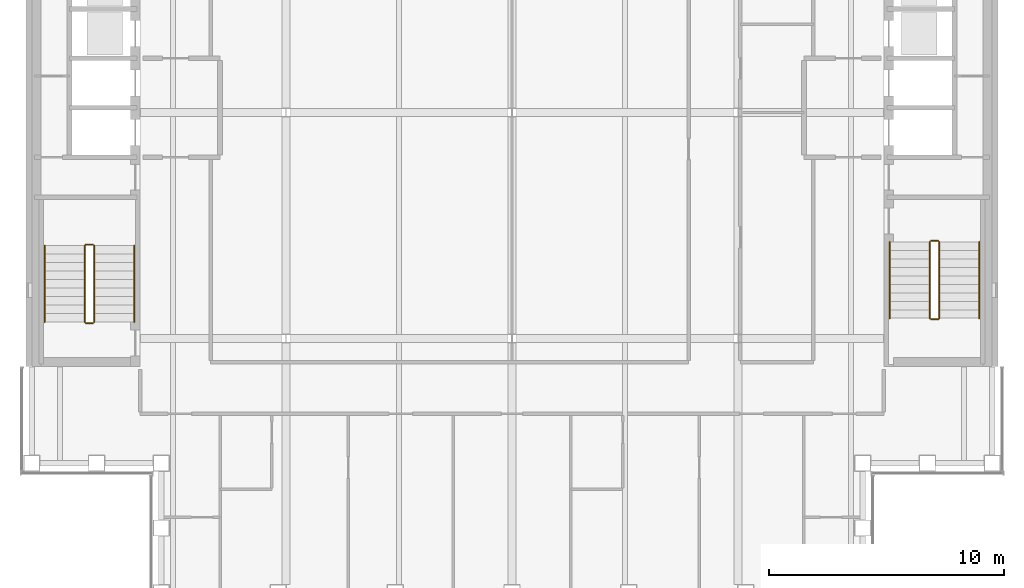
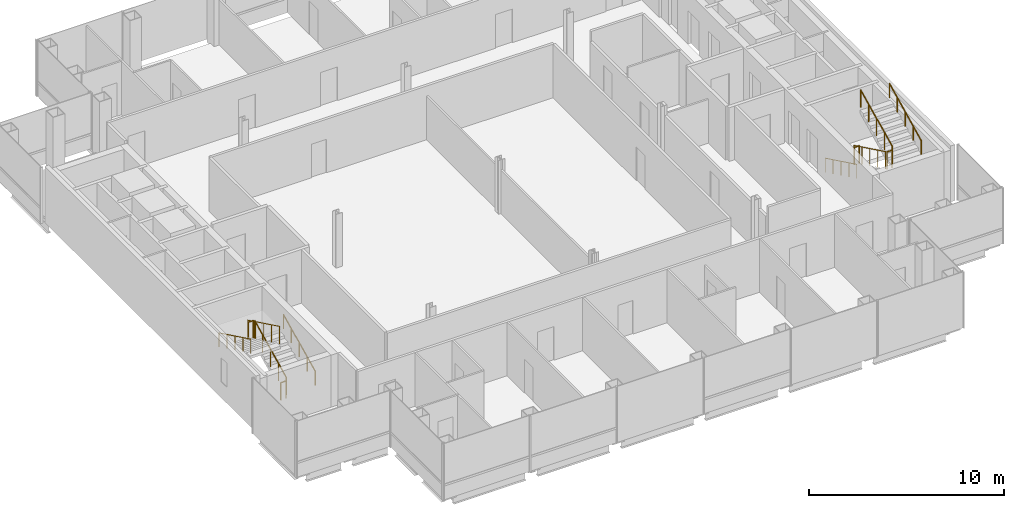
# One storey, part 14 of 15: 12 railings.
"""IFC4 building model written with IfcOpenShell, lengths in metres."""

from ifc_helpers import new_model, si_unit, direction, frame, origin, origin_2d, place, context, subcontext, project, spatial, circle, extrude, material, type_object, element, save


model = new_model("IFC4")

# Units and contexts
model_context = context("Model", 3, precision=1e-05, world=origin(), true_north=direction((0.0, 1.0)))
body_context = subcontext(model_context, "Body", "Model", "MODEL_VIEW")
ifc_project = project(units=[si_unit("LENGTHUNIT", "METRE"), si_unit("AREAUNIT", "SQUARE_METRE"), si_unit("VOLUMEUNIT", "CUBIC_METRE"), si_unit("PLANEANGLEUNIT", "RADIAN"), si_unit("MASSUNIT", "GRAM", prefix="KILO")], contexts=[model_context])

# Site, building, storey
site_placement = place(None, origin())
site = spatial("IfcSite", under=ifc_project, at=site_placement, CompositionType="ELEMENT")
building_placement = place(site_placement, origin())
building = spatial("IfcBuilding", under=site, at=building_placement, Name="Cobrizo Arcos Hotel Tower", CompositionType="ELEMENT")
storey_placement = place(building_placement, frame((0.0, 0.0, 194.5)))
storey = spatial("IfcBuildingStorey", under=building, at=storey_placement, Name="L50", CompositionType="ELEMENT", Elevation=194.5)

# Railings
ifc_material = material(Name="Stainless steel railing", Category="steel")
railing_type_1 = type_object("IfcRailingType", Name="Stair guard 1100", PredefinedType="GUARDRAIL", material=ifc_material)
railing_1_placement = place(storey_placement, frame((-17.75, -8.89990234375, 0.175048828125)))
element("IfcRailing", 1, at=railing_1_placement, inside=storey, type_object=railing_type_1, Name="L50 ST-W stair guard 1", PredefinedType="GUARDRAIL", context=body_context, shape_type="SweptSolid", body=[
    extrude(circle(Radius=0.02392578125, at=origin_2d()), frame((0.0, 0.0, 1.076171875), z_axis=(0.0, 0.899372665325, 0.437182809435), x_axis=(-1.0, 0.0, 0.0)), (0.0, 0.0, 1.0), 3.6025390625),
    extrude(circle(Radius=0.02099609375, at=origin_2d()), origin(), (0.0, 0.0, 1.0), 1.052001953125),
    extrude(circle(Radius=0.02099609375, at=origin_2d()), frame((0.0, 0.81005859375, 0.393798828125)), (0.0, 0.0, 1.0), 1.052001953125),
    extrude(circle(Radius=0.02099609375, at=origin_2d()), frame((0.0, 1.6201171875, 0.78759765625)), (0.0, 0.0, 1.0), 1.052001953125),
    extrude(circle(Radius=0.02099609375, at=origin_2d()), frame((0.0, 2.429931640625, 1.18115234375)), (0.0, 0.0, 1.0), 1.052001953125),
    extrude(circle(Radius=0.02099609375, at=origin_2d()), frame((0.0, 3.239990234375, 1.574951171875)), (0.0, 0.0, 1.0), 1.052001953125),
])
railing_2_placement = place(storey_placement, frame((-17.800048828125, -5.610107421875, 1.75)))
element("IfcRailing", 2, at=railing_2_placement, inside=storey, type_object=railing_type_1, Name="L50 ST-W stair guard 2", PredefinedType="GUARDRAIL", context=body_context, shape_type="SweptSolid", body=[
    extrude(circle(Radius=0.02392578125, at=origin_2d()), frame((0.0, 0.0, 1.076171875), z_axis=(-1.0, 0.0, 0.0), x_axis=(0.0, -1.0, 0.0)), (0.0, 0.0, 1.0), 0.300048828125),
    extrude(circle(Radius=0.02099609375, at=origin_2d()), origin(), (0.0, 0.0, 1.0), 1.052001953125),
    extrude(circle(Radius=0.02099609375, at=origin_2d()), frame((-0.300048828125, 0.0, 0.0)), (0.0, 0.0, 1.0), 1.052001953125),
])
railing_3_placement = place(storey_placement, frame((-18.14990234375, -5.659912109375, 1.925048828125)))
element("IfcRailing", 3, at=railing_3_placement, inside=storey, type_object=railing_type_1, Name="L50 ST-W stair guard 3", PredefinedType="GUARDRAIL", context=body_context, shape_type="SweptSolid", body=[
    extrude(circle(Radius=0.02392578125, at=origin_2d()), frame((0.0, 0.0, 1.076171875), z_axis=(0.0, -0.899372665325, 0.437182809435), x_axis=(1.0, 0.0, 0.0)), (0.0, 0.0, 1.0), 3.6025390625),
    extrude(circle(Radius=0.02099609375, at=origin_2d()), origin(), (0.0, 0.0, 1.0), 1.052001953125),
    extrude(circle(Radius=0.02099609375, at=origin_2d()), frame((0.0, -0.81005859375, 0.393798828125)), (0.0, 0.0, 1.0), 1.052001953125),
    extrude(circle(Radius=0.02099609375, at=origin_2d()), frame((0.0, -1.6201171875, 0.78759765625)), (0.0, 0.0, 1.0), 1.052001953125),
    extrude(circle(Radius=0.02099609375, at=origin_2d()), frame((0.0, -2.429931640625, 1.18115234375)), (0.0, 0.0, 1.0), 1.052001953125),
    extrude(circle(Radius=0.02099609375, at=origin_2d()), frame((0.0, -3.239990234375, 1.574951171875)), (0.0, 0.0, 1.0), 1.052001953125),
])
railing_4_placement = place(storey_placement, frame((-17.800048828125, -8.949951171875, 0.0)))
element("IfcRailing", 4, at=railing_4_placement, inside=storey, type_object=railing_type_1, Name="L50 ST-W stair guard 4", PredefinedType="GUARDRAIL", context=body_context, shape_type="SweptSolid", body=[
    extrude(circle(Radius=0.02392578125, at=origin_2d()), frame((0.0, 0.0, 1.076171875), z_axis=(-1.0, 0.0, 0.0), x_axis=(0.0, -1.0, 0.0)), (0.0, 0.0, 1.0), 0.300048828125),
    extrude(circle(Radius=0.02099609375, at=origin_2d()), origin(), (0.0, 0.0, 1.0), 1.052001953125),
    extrude(circle(Radius=0.02099609375, at=origin_2d()), frame((-0.300048828125, 0.0, 0.0)), (0.0, 0.0, 1.0), 1.052001953125),
])
railing_5_placement = place(storey_placement, frame((17.75, -5.5, 0.175048828125)))
element("IfcRailing", 5, at=railing_5_placement, inside=storey, type_object=railing_type_1, Name="L50 ST-E stair guard 1", PredefinedType="GUARDRAIL", context=body_context, shape_type="SweptSolid", body=[
    extrude(circle(Radius=0.02392578125, at=origin_2d()), frame((0.0, 0.0, 1.076171875), z_axis=(0.0, -0.899372665325, 0.437182809435), x_axis=(1.0, 0.0, 0.0)), (0.0, 0.0, 1.0), 3.6025390625),
    extrude(circle(Radius=0.02099609375, at=origin_2d()), origin(), (0.0, 0.0, 1.0), 1.052001953125),
    extrude(circle(Radius=0.02099609375, at=origin_2d()), frame((0.0, -0.81005859375, 0.393798828125)), (0.0, 0.0, 1.0), 1.052001953125),
    extrude(circle(Radius=0.02099609375, at=origin_2d()), frame((0.0, -1.6201171875, 0.78759765625)), (0.0, 0.0, 1.0), 1.052001953125),
    extrude(circle(Radius=0.02099609375, at=origin_2d()), frame((0.0, -2.429931640625, 1.18115234375)), (0.0, 0.0, 1.0), 1.052001953125),
    extrude(circle(Radius=0.02099609375, at=origin_2d()), frame((0.0, -3.239990234375, 1.574951171875)), (0.0, 0.0, 1.0), 1.052001953125),
])
railing_6_placement = place(storey_placement, frame((17.800048828125, -8.7900390625, 1.75)))
element("IfcRailing", 6, at=railing_6_placement, inside=storey, type_object=railing_type_1, Name="L50 ST-E stair guard 2", PredefinedType="GUARDRAIL", context=body_context, shape_type="SweptSolid", body=[
    extrude(circle(Radius=0.02392578125, at=origin_2d()), frame((0.0, 0.0, 1.076171875), z_axis=(1.0, 0.0, 0.0), x_axis=(0.0, 1.0, 0.0)), (0.0, 0.0, 1.0), 0.300048828125),
    extrude(circle(Radius=0.02099609375, at=origin_2d()), origin(), (0.0, 0.0, 1.0), 1.052001953125),
    extrude(circle(Radius=0.02099609375, at=origin_2d()), frame((0.300048828125, 0.0, 0.0)), (0.0, 0.0, 1.0), 1.052001953125),
])
railing_7_placement = place(storey_placement, frame((18.14990234375, -8.739990234375, 1.925048828125)))
element("IfcRailing", 7, at=railing_7_placement, inside=storey, type_object=railing_type_1, Name="L50 ST-E stair guard 3", PredefinedType="GUARDRAIL", context=body_context, shape_type="SweptSolid", body=[
    extrude(circle(Radius=0.02392578125, at=origin_2d()), frame((0.0, 0.0, 1.076171875), z_axis=(0.0, 0.899372665325, 0.437182809435), x_axis=(-1.0, 0.0, 0.0)), (0.0, 0.0, 1.0), 3.6025390625),
    extrude(circle(Radius=0.02099609375, at=origin_2d()), origin(), (0.0, 0.0, 1.0), 1.052001953125),
    extrude(circle(Radius=0.02099609375, at=origin_2d()), frame((0.0, 0.81005859375, 0.393798828125)), (0.0, 0.0, 1.0), 1.052001953125),
    extrude(circle(Radius=0.02099609375, at=origin_2d()), frame((0.0, 1.6201171875, 0.78759765625)), (0.0, 0.0, 1.0), 1.052001953125),
    extrude(circle(Radius=0.02099609375, at=origin_2d()), frame((0.0, 2.429931640625, 1.18115234375)), (0.0, 0.0, 1.0), 1.052001953125),
    extrude(circle(Radius=0.02099609375, at=origin_2d()), frame((0.0, 3.239990234375, 1.574951171875)), (0.0, 0.0, 1.0), 1.052001953125),
])
railing_8_placement = place(storey_placement, frame((17.800048828125, -5.449951171875, 0.0)))
element("IfcRailing", 8, at=railing_8_placement, inside=storey, type_object=railing_type_1, Name="L50 ST-E stair guard 4", PredefinedType="GUARDRAIL", context=body_context, shape_type="SweptSolid", body=[
    extrude(circle(Radius=0.02392578125, at=origin_2d()), frame((0.0, 0.0, 1.076171875), z_axis=(1.0, 0.0, 0.0), x_axis=(0.0, 1.0, 0.0)), (0.0, 0.0, 1.0), 0.300048828125),
    extrude(circle(Radius=0.02099609375, at=origin_2d()), origin(), (0.0, 0.0, 1.0), 1.052001953125),
    extrude(circle(Radius=0.02099609375, at=origin_2d()), frame((0.300048828125, 0.0, 0.0)), (0.0, 0.0, 1.0), 1.052001953125),
])
railing_type_2 = type_object("IfcRailingType", Name="Stair handrail", PredefinedType="HANDRAIL", material=ifc_material)
railing_9_placement = place(storey_placement, frame((-16.050048828125, -8.89990234375, 0.175048828125)))
element("IfcRailing", 9, at=railing_9_placement, inside=storey, type_object=railing_type_2, Name="L50 ST-W stair handrail 1", PredefinedType="HANDRAIL", context=body_context, shape_type="SweptSolid", body=[
    extrude(circle(Radius=0.02392578125, at=origin_2d()), frame((0.0, 0.0, 0.8759765625), z_axis=(0.0, 0.899372665325, 0.437182809435), x_axis=(-1.0, 0.0, 0.0)), (0.0, 0.0, 1.0), 3.6025390625),
    extrude(circle(Radius=0.02099609375, at=origin_2d()), origin(), (0.0, 0.0, 1.0), 0.851806640625),
    extrude(circle(Radius=0.02099609375, at=origin_2d()), frame((0.0, 0.81005859375, 0.393798828125)), (0.0, 0.0, 1.0), 0.851806640625),
    extrude(circle(Radius=0.02099609375, at=origin_2d()), frame((0.0, 1.6201171875, 0.78759765625)), (0.0, 0.0, 1.0), 0.851806640625),
    extrude(circle(Radius=0.02099609375, at=origin_2d()), frame((0.0, 2.429931640625, 1.18115234375)), (0.0, 0.0, 1.0), 0.851806640625),
    extrude(circle(Radius=0.02099609375, at=origin_2d()), frame((0.0, 3.239990234375, 1.574951171875)), (0.0, 0.0, 1.0), 0.851806640625),
])
for number, where, name in (
    (10, (-19.85009765625, -5.659912109375, 1.925048828125), "L50 ST-W stair handrail 2"),
    (11, (16.050048828125, -5.5, 0.175048828125), "L50 ST-E stair handrail 1"),
):
    element("IfcRailing", number, at=place(storey_placement, frame(where)), inside=storey, type_object=railing_type_2, Name=name, PredefinedType="HANDRAIL", context=body_context, shape_type="SweptSolid", body=[
        extrude(circle(Radius=0.02392578125, at=origin_2d()), frame((0.0, 0.0, 0.8759765625), z_axis=(0.0, -0.899372665325, 0.437182809435), x_axis=(1.0, 0.0, 0.0)), (0.0, 0.0, 1.0), 3.6025390625),
        extrude(circle(Radius=0.02099609375, at=origin_2d()), origin(), (0.0, 0.0, 1.0), 0.851806640625),
        extrude(circle(Radius=0.02099609375, at=origin_2d()), frame((0.0, -0.81005859375, 0.393798828125)), (0.0, 0.0, 1.0), 0.851806640625),
        extrude(circle(Radius=0.02099609375, at=origin_2d()), frame((0.0, -1.6201171875, 0.78759765625)), (0.0, 0.0, 1.0), 0.851806640625),
        extrude(circle(Radius=0.02099609375, at=origin_2d()), frame((0.0, -2.429931640625, 1.18115234375)), (0.0, 0.0, 1.0), 0.851806640625),
        extrude(circle(Radius=0.02099609375, at=origin_2d()), frame((0.0, -3.239990234375, 1.574951171875)), (0.0, 0.0, 1.0), 0.851806640625),
    ])
railing_10_placement = place(storey_placement, frame((19.85009765625, -8.739990234375, 1.925048828125)))
element("IfcRailing", 12, at=railing_10_placement, inside=storey, type_object=railing_type_2, Name="L50 ST-E stair handrail 2", PredefinedType="HANDRAIL", context=body_context, shape_type="SweptSolid", body=[
    extrude(circle(Radius=0.02392578125, at=origin_2d()), frame((0.0, 0.0, 0.8759765625), z_axis=(0.0, 0.899372665325, 0.437182809435), x_axis=(-1.0, 0.0, 0.0)), (0.0, 0.0, 1.0), 3.6025390625),
    extrude(circle(Radius=0.02099609375, at=origin_2d()), origin(), (0.0, 0.0, 1.0), 0.851806640625),
    extrude(circle(Radius=0.02099609375, at=origin_2d()), frame((0.0, 0.81005859375, 0.393798828125)), (0.0, 0.0, 1.0), 0.851806640625),
    extrude(circle(Radius=0.02099609375, at=origin_2d()), frame((0.0, 1.6201171875, 0.78759765625)), (0.0, 0.0, 1.0), 0.851806640625),
    extrude(circle(Radius=0.02099609375, at=origin_2d()), frame((0.0, 2.429931640625, 1.18115234375)), (0.0, 0.0, 1.0), 0.851806640625),
    extrude(circle(Radius=0.02099609375, at=origin_2d()), frame((0.0, 3.239990234375, 1.574951171875)), (0.0, 0.0, 1.0), 0.851806640625),
])

save(model, "model.ifc")
